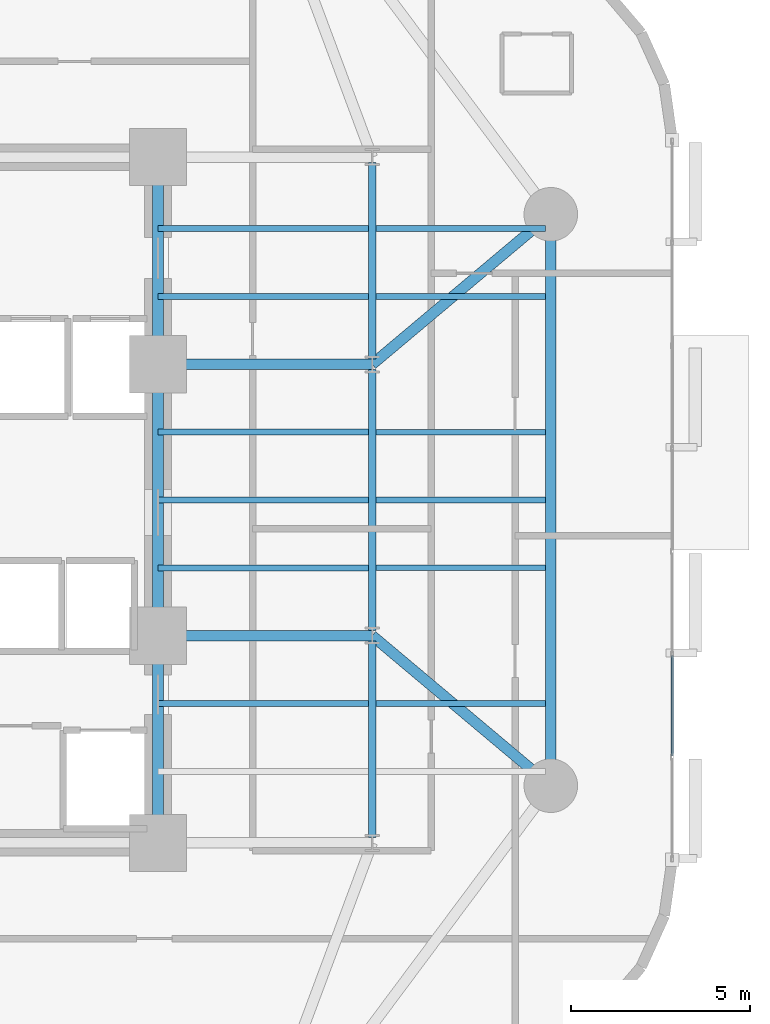
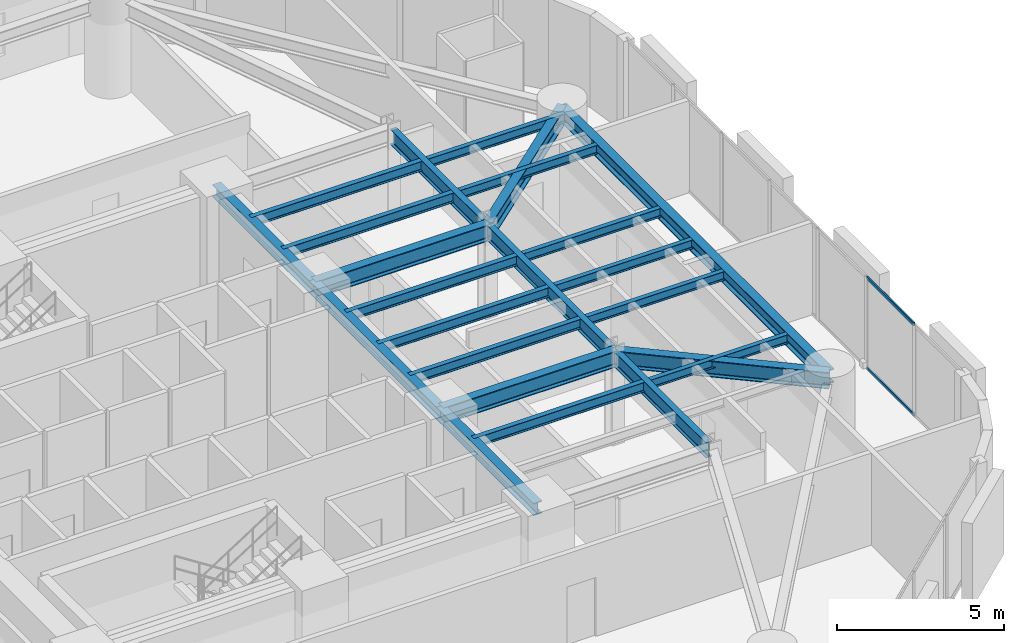
# One storey, part 5 of 16: 23 beams, 2 members, 1 element without a shape of its own.
"""IFC4 building model written with IfcOpenShell, lengths in metres."""

from ifc_helpers import new_model, si_unit, direction, frame, origin, origin_2d, place, context, subcontext, project, spatial, hollow_rectangle, i_section, extrude, material, layer, layer_set, material_profile, profile_set, type_object, element, aggregate, save


model = new_model("IFC4")

# Units and contexts
model_context = context("Model", 3, precision=1e-05, world=origin(), true_north=direction((0.0, 1.0)))
body_context = subcontext(model_context, "Body", "Model", "MODEL_VIEW")
ifc_project = project(units=[si_unit("LENGTHUNIT", "METRE"), si_unit("AREAUNIT", "SQUARE_METRE"), si_unit("VOLUMEUNIT", "CUBIC_METRE"), si_unit("PLANEANGLEUNIT", "RADIAN"), si_unit("MASSUNIT", "GRAM", prefix="KILO")], contexts=[model_context])

# Site, building, storey
site_placement = place(None, origin())
site = spatial("IfcSite", under=ifc_project, at=site_placement, CompositionType="ELEMENT")
building_placement = place(site_placement, origin())
building = spatial("IfcBuilding", under=site, at=building_placement, Name="An Khanh Terracotta Commons", CompositionType="ELEMENT")
storey_placement = place(building_placement, frame((0.0, 0.0, 72.0)))
storey = spatial("IfcBuildingStorey", under=building, at=storey_placement, Name="L19", CompositionType="ELEMENT", Elevation=72.0)

# Beams
ifc_material_1 = material(Name="Steel S355J2", Category="steel")
ifc_material_profile_1 = material_profile(ifc_material_1, i_section(OverallWidth=0.300048828125, OverallDepth=0.449951171875, WebThickness=0.013916015625, FlangeThickness=0.02587890625, FilletRadius=0.027099609375, at=origin_2d()), Name="HEB450")
ifc_profile_set_1 = profile_set([ifc_material_profile_1], Name="Steel S355J2")
beam_type_1 = type_object("IfcBeamType", Name="BM-HEB450", PredefinedType="BEAM", material=ifc_profile_set_1)
beam_1_placement = place(storey_placement, frame((37.199951171875, 14.39990234375, 3.135009765625), z_axis=(0.0, 1.0, 0.0), x_axis=(-1.0, 0.0, 0.0)))
element("IfcBeam", 1, at=beam_1_placement, inside=storey, type_object=beam_type_1, Name="L19 Core East Coupling Girder 1", PredefinedType="BEAM", context=body_context, shape_type="SweptSolid", body=[
    extrude(i_section(OverallWidth=0.300048828125, OverallDepth=0.449951171875, WebThickness=0.013916015625, FlangeThickness=0.02587890625, FilletRadius=0.027099609375, at=origin_2d()), origin(), (0.0, 0.0, 1.0), 5.800048828125),
])
beam_2_placement = place(storey_placement, frame((37.199951171875, 20.199951171875, 3.135009765625), z_axis=(0.0, 1.0, 0.0), x_axis=(-1.0, 0.0, 0.0)))
element("IfcBeam", 2, at=beam_2_placement, inside=storey, type_object=beam_type_1, Name="L19 Core East Coupling Girder 2", PredefinedType="BEAM", context=body_context, shape_type="SweptSolid", body=[
    extrude(i_section(OverallWidth=0.300048828125, OverallDepth=0.449951171875, WebThickness=0.013916015625, FlangeThickness=0.02587890625, FilletRadius=0.027099609375, at=origin_2d()), origin(), (0.0, 0.0, 1.0), 7.60009765625),
])
beam_3_placement = place(storey_placement, frame((37.199951171875, 27.800048828125, 3.135009765625), z_axis=(0.0, 1.0, 0.0), x_axis=(-1.0, 0.0, 0.0)))
element("IfcBeam", 3, at=beam_3_placement, inside=storey, type_object=beam_type_1, Name="L19 Core East Coupling Girder 3", PredefinedType="BEAM", context=body_context, shape_type="SweptSolid", body=[
    extrude(i_section(OverallWidth=0.300048828125, OverallDepth=0.449951171875, WebThickness=0.013916015625, FlangeThickness=0.02587890625, FilletRadius=0.027099609375, at=origin_2d()), origin(), (0.0, 0.0, 1.0), 5.800048828125),
])
ifc_material_profile_2 = material_profile(ifc_material_1, i_section(OverallWidth=0.300048828125, OverallDepth=0.5, WebThickness=0.014404296875, FlangeThickness=0.028076171875, FilletRadius=0.027099609375, at=origin_2d()), Name="HEB500")
ifc_profile_set_2 = profile_set([ifc_material_profile_2], Name="Steel S355J2")
beam_type_2 = type_object("IfcBeamType", Name="BM-HEB500", PredefinedType="BEAM", material=ifc_profile_set_2)
beam_4_placement = place(storey_placement, frame((48.199951171875, 16.0, 3.110107421875), z_axis=(0.0, 1.0, 0.0), x_axis=(-1.0, 0.0, 0.0)))
element("IfcBeam", 4, at=beam_4_placement, inside=storey, type_object=beam_type_2, Name="L19 Perimeter Ring Spandrel 3", PredefinedType="BEAM", context=body_context, shape_type="SweptSolid", body=[
    extrude(i_section(OverallWidth=0.300048828125, OverallDepth=0.5, WebThickness=0.014404296875, FlangeThickness=0.028076171875, FilletRadius=0.027099609375, at=origin_2d()), origin(), (0.0, 0.0, 1.0), 16.0),
])
ifc_material_profile_3 = material_profile(ifc_material_1, i_section(OverallWidth=0.300048828125, OverallDepth=0.60009765625, WebThickness=0.015380859375, FlangeThickness=0.030029296875, FilletRadius=0.027099609375, at=origin_2d()), Name="HEB600")
ifc_profile_set_3 = profile_set([ifc_material_profile_3], Name="Steel S355J2")
beam_type_3 = type_object("IfcBeamType", Name="BM-HEB600", PredefinedType="BEAM", material=ifc_profile_set_3)
for number, where, z_axis, x_axis, name in (
    (5, (37.199951171875, 20.199951171875, 3.06005859375), (1.0, 0.0, 0.0), (0.0, 1.0, 0.0), "L19 East Primary Floor Girder 2"),
    (6, (37.199951171875, 27.800048828125, 3.06005859375), (1.0, 0.0, 0.0), (0.0, 1.0, 0.0), "L19 East Primary Floor Girder 3"),
):
    element("IfcBeam", number, at=place(storey_placement, frame(where, z_axis=z_axis, x_axis=x_axis)), inside=storey, type_object=beam_type_3, Name=name, PredefinedType="BEAM", context=body_context, shape_type="SweptSolid", body=[
        extrude(i_section(OverallWidth=0.300048828125, OverallDepth=0.60009765625, WebThickness=0.015380859375, FlangeThickness=0.030029296875, FilletRadius=0.027099609375, at=origin_2d()), origin(), (0.0, 0.0, 1.0), 6.0),
    ])
for number, where, z_axis, x_axis, name in (
    (7, (48.199951171875, 16.0, 3.06005859375), (-0.765708547471, 0.643187702253, 0.0), (-0.643187702253, -0.765708547471, 0.0), "L19 Mega-Column Tie Girder 3"),
    (8, (48.199951171875, 32.0, 3.06005859375), (-0.765708547471, -0.643187702253, 0.0), (0.643187702253, -0.765708547471, 0.0), "L19 Mega-Column Tie Girder 4"),
):
    element("IfcBeam", number, at=place(storey_placement, frame(where, z_axis=z_axis, x_axis=x_axis)), inside=storey, type_object=beam_type_3, Name=name, PredefinedType="BEAM", context=body_context, shape_type="SweptSolid", body=[
        extrude(i_section(OverallWidth=0.300048828125, OverallDepth=0.60009765625, WebThickness=0.015380859375, FlangeThickness=0.030029296875, FilletRadius=0.027099609375, at=origin_2d()), origin(), (0.0, 0.0, 1.0), 6.52978515625),
    ])
ifc_material_profile_4 = material_profile(ifc_material_1, i_section(OverallWidth=0.159912109375, OverallDepth=0.330078125, WebThickness=0.007568359375, FlangeThickness=0.011474609375, FilletRadius=0.01806640625, at=origin_2d()), Name="IPE330")
ifc_profile_set_4 = profile_set([ifc_material_profile_4], Name="Steel S355J2")
beam_type_4 = type_object("IfcBeamType", Name="BM-IPE330", PredefinedType="JOIST", material=ifc_profile_set_4)
for number, where, z_axis, x_axis, name in (
    (9, (43.304931640625, 18.300048828125, 3.195068359375), (1.0, 0.0, 0.0), (0.0, 1.0, 0.0), "L19 Riverfront Composite Joist 2"),
    (10, (43.304931640625, 22.10009765625, 3.195068359375), (1.0, 0.0, 0.0), (0.0, 1.0, 0.0), "L19 Riverfront Composite Joist 3"),
    (11, (43.304931640625, 24.0, 3.195068359375), (1.0, 0.0, 0.0), (0.0, 1.0, 0.0), "L19 Riverfront Composite Joist 4"),
    (12, (43.304931640625, 25.89990234375, 3.195068359375), (1.0, 0.0, 0.0), (0.0, 1.0, 0.0), "L19 Riverfront Composite Joist 5"),
    (13, (43.304931640625, 29.699951171875, 3.195068359375), (1.0, 0.0, 0.0), (0.0, 1.0, 0.0), "L19 Riverfront Composite Joist 6"),
    (14, (43.304931640625, 31.60009765625, 3.195068359375), (1.0, 0.0, 0.0), (0.0, 1.0, 0.0), "L19 Riverfront Composite Joist 7"),
):
    element("IfcBeam", number, at=place(storey_placement, frame(where, z_axis=z_axis, x_axis=x_axis)), inside=storey, type_object=beam_type_4, Name=name, PredefinedType="JOIST", context=body_context, shape_type="SweptSolid", body=[
        extrude(i_section(OverallWidth=0.159912109375, OverallDepth=0.330078125, WebThickness=0.007568359375, FlangeThickness=0.011474609375, FilletRadius=0.01806640625, at=origin_2d()), origin(), (0.0, 0.0, 1.0), 4.7451171875),
    ])
ifc_material_profile_5 = material_profile(ifc_material_1, i_section(OverallWidth=0.169921875, OverallDepth=0.360107421875, WebThickness=0.008056640625, FlangeThickness=0.0126953125, FilletRadius=0.01806640625, at=origin_2d()), Name="IPE360")
ifc_profile_set_5 = profile_set([ifc_material_profile_5], Name="Steel S355J2")
beam_type_5 = type_object("IfcBeamType", Name="BM-IPE360", PredefinedType="JOIST", material=ifc_profile_set_5)
for number, where, z_axis, x_axis, name in (
    (15, (37.199951171875, 18.300048828125, 3.179931640625), (1.0, 0.0, 0.0), (0.0, 1.0, 0.0), "L19 Inboard Composite Joist 2"),
    (16, (37.199951171875, 22.10009765625, 3.179931640625), (1.0, 0.0, 0.0), (0.0, 1.0, 0.0), "L19 Inboard Composite Joist 3"),
    (17, (37.199951171875, 24.0, 3.179931640625), (1.0, 0.0, 0.0), (0.0, 1.0, 0.0), "L19 Inboard Composite Joist 4"),
    (18, (37.199951171875, 25.89990234375, 3.179931640625), (1.0, 0.0, 0.0), (0.0, 1.0, 0.0), "L19 Inboard Composite Joist 5"),
    (19, (37.199951171875, 29.699951171875, 3.179931640625), (1.0, 0.0, 0.0), (0.0, 1.0, 0.0), "L19 Inboard Composite Joist 6"),
    (20, (37.199951171875, 31.60009765625, 3.179931640625), (1.0, 0.0, 0.0), (0.0, 1.0, 0.0), "L19 Inboard Composite Joist 7"),
):
    element("IfcBeam", number, at=place(storey_placement, frame(where, z_axis=z_axis, x_axis=x_axis)), inside=storey, type_object=beam_type_5, Name=name, PredefinedType="JOIST", context=body_context, shape_type="SweptSolid", body=[
        extrude(i_section(OverallWidth=0.169921875, OverallDepth=0.360107421875, WebThickness=0.008056640625, FlangeThickness=0.0126953125, FilletRadius=0.01806640625, at=origin_2d()), origin(), (0.0, 0.0, 1.0), 5.89501953125),
    ])
ifc_material_profile_6 = material_profile(ifc_material_1, i_section(OverallWidth=0.2099609375, OverallDepth=0.550048828125, WebThickness=0.010986328125, FlangeThickness=0.01708984375, FilletRadius=0.02392578125, at=origin_2d()), Name="IPE550")
ifc_profile_set_6 = profile_set([ifc_material_profile_6], Name="Steel S355J2")
beam_type_6 = type_object("IfcBeamType", Name="BM-IPE550", PredefinedType="BEAM", material=ifc_profile_set_6)
beam_5_placement = place(storey_placement, frame((43.199951171875, 14.550048828125, 3.0849609375), z_axis=(0.0, 1.0, 0.0), x_axis=(-1.0, 0.0, 0.0)))
element("IfcBeam", 21, at=beam_5_placement, inside=storey, type_object=beam_type_6, Name="L19 East Spine Girder 1", PredefinedType="BEAM", context=body_context, shape_type="SweptSolid", body=[
    extrude(i_section(OverallWidth=0.2099609375, OverallDepth=0.550048828125, WebThickness=0.010986328125, FlangeThickness=0.01708984375, FilletRadius=0.02392578125, at=origin_2d()), origin(), (0.0, 0.0, 1.0), 5.5),
])
beam_6_placement = place(storey_placement, frame((43.199951171875, 20.35009765625, 3.0849609375), z_axis=(0.0, 1.0, 0.0), x_axis=(-1.0, 0.0, 0.0)))
element("IfcBeam", 22, at=beam_6_placement, inside=storey, type_object=beam_type_6, Name="L19 East Spine Girder 2", PredefinedType="BEAM", context=body_context, shape_type="SweptSolid", body=[
    extrude(i_section(OverallWidth=0.2099609375, OverallDepth=0.550048828125, WebThickness=0.010986328125, FlangeThickness=0.01708984375, FilletRadius=0.02392578125, at=origin_2d()), origin(), (0.0, 0.0, 1.0), 7.2998046875),
])
beam_7_placement = place(storey_placement, frame((43.199951171875, 27.949951171875, 3.0849609375), z_axis=(0.0, 1.0, 0.0), x_axis=(-1.0, 0.0, 0.0)))
element("IfcBeam", 23, at=beam_7_placement, inside=storey, type_object=beam_type_6, Name="L19 East Spine Girder 3", PredefinedType="BEAM", context=body_context, shape_type="SweptSolid", body=[
    extrude(i_section(OverallWidth=0.2099609375, OverallDepth=0.550048828125, WebThickness=0.010986328125, FlangeThickness=0.01708984375, FilletRadius=0.02392578125, at=origin_2d()), origin(), (0.0, 0.0, 1.0), 5.5),
])

# Curtain wall, members
ifc_material_2 = material(Name="Anodised Aluminium 6063-T6", Category="aluminium")
ifc_layer = layer(ifc_material_2, 0.199951171875, Name="Anodised Aluminium 6063-T6")
ifc_layer_set = layer_set([ifc_layer], Name="Anodised Aluminium 6063-T6")
curtain_wall_type = type_object("IfcCurtainWallType", Name="CW-SYS-02", PredefinedType="USERDEFINED", material=ifc_layer_set)
curtain_wall_placement = place(storey_placement, origin())
curtain_wall = element("IfcCurtainWall", 24, at=curtain_wall_placement, inside=storey, type_object=curtain_wall_type, Name="L19 CW-02 Unitised Curtain Wall CW-L19-12", ObjectType="UNITISED CURTAIN WALL", PredefinedType="USERDEFINED")
ifc_material_profile_7 = material_profile(ifc_material_2, hollow_rectangle(XDim=0.06005859375, YDim=0.1201171875, WallThickness=0.003662109375, InnerFilletRadius=0.003662109375, OuterFilletRadius=0.007080078125, at=origin_2d()), Name="RHS120x60x3.6")
ifc_profile_set_7 = profile_set([ifc_material_profile_7], Name="Anodised Aluminium 6063-T6")
member_type = type_object("IfcMemberType", Name="CWT-RHS120x60x3.6", PredefinedType="USERDEFINED", material=ifc_profile_set_7)
member_1_placement = place(storey_placement, frame((51.60009765625, 16.837158203125, 0.030029296875), z_axis=(0.0, 1.0, 0.0), x_axis=(-1.0, 0.0, 0.0)))
member_1 = element("IfcMember", 25, at=member_1_placement, type_object=member_type, Name="CW-02 transom 2.1", ObjectType="TRANSOM", PredefinedType="USERDEFINED", context=body_context, shape_type="SweptSolid", body=[
    extrude(hollow_rectangle(XDim=0.06005859375, YDim=0.1201171875, WallThickness=0.003662109375, InnerFilletRadius=0.003662109375, OuterFilletRadius=0.007080078125, at=origin_2d()), origin(), (0.0, 0.0, 1.0), 2.80908203125),
])
member_2_placement = place(storey_placement, frame((51.60009765625, 16.837158203125, 3.330078125), z_axis=(0.0, 1.0, 0.0), x_axis=(-1.0, 0.0, 0.0)))
member_2 = element("IfcMember", 26, at=member_2_placement, type_object=member_type, Name="CW-02 transom 2.2", ObjectType="TRANSOM", PredefinedType="USERDEFINED", context=body_context, shape_type="SweptSolid", body=[
    extrude(hollow_rectangle(XDim=0.06005859375, YDim=0.1201171875, WallThickness=0.003662109375, InnerFilletRadius=0.003662109375, OuterFilletRadius=0.007080078125, at=origin_2d()), origin(), (0.0, 0.0, 1.0), 2.80908203125),
])
aggregate(curtain_wall, [member_1, member_2])

save(model, "model.ifc")
